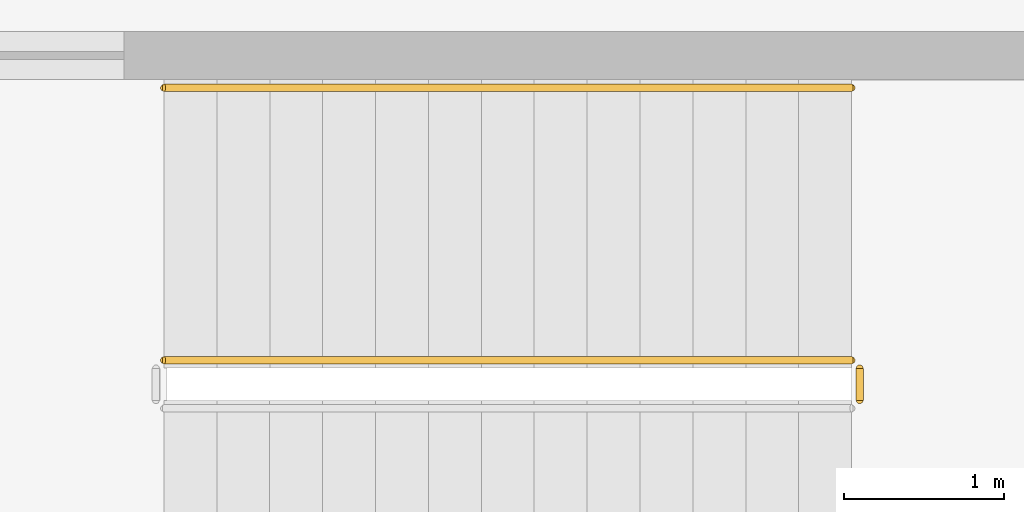
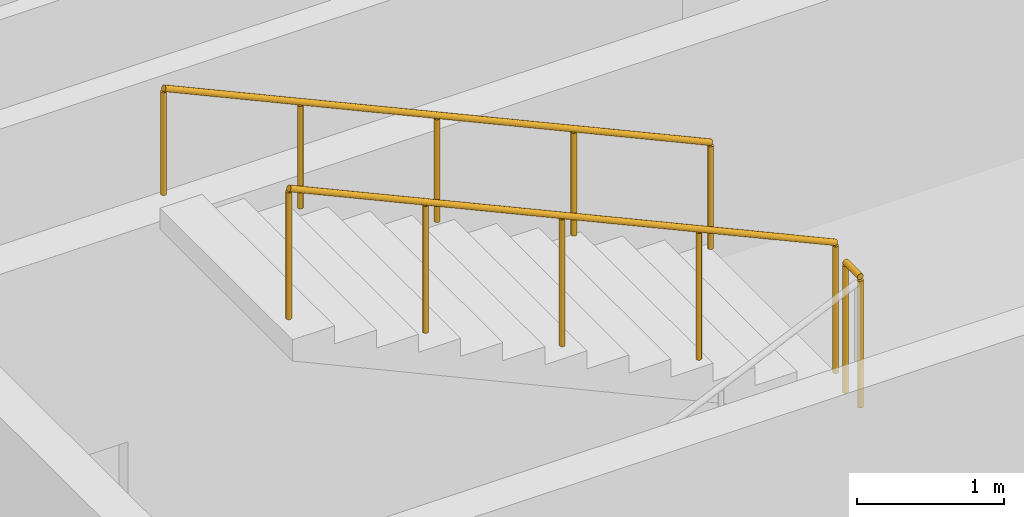
# One storey, part 87 of 90: 3 railings.
"""IFC4 building model written with IfcOpenShell, lengths in metres."""

from ifc_helpers import new_model, si_unit, direction, frame, origin, origin_2d, place, context, subcontext, project, spatial, circle, extrude, material, layer, layer_set, type_object, element, save


model = new_model("IFC4")

# Units and contexts
model_context = context("Model", 3, precision=1e-05, world=origin(), true_north=direction((0.0, 1.0)))
body_context = subcontext(model_context, "Body", "Model", "MODEL_VIEW")
ifc_project = project(units=[si_unit("LENGTHUNIT", "METRE"), si_unit("AREAUNIT", "SQUARE_METRE"), si_unit("VOLUMEUNIT", "CUBIC_METRE"), si_unit("PLANEANGLEUNIT", "RADIAN"), si_unit("MASSUNIT", "GRAM", prefix="KILO")], contexts=[model_context])

# Site, building, storey
site_placement = place(None, origin())
site = spatial("IfcSite", under=ifc_project, at=site_placement, CompositionType="ELEMENT")
building_placement = place(site_placement, origin())
building = spatial("IfcBuilding", under=site, at=building_placement, Name="Malvenik Polytechnic", CompositionType="ELEMENT")
storey_placement = place(building_placement, frame((0.0, 0.0, 9.300048828125)))
storey = spatial("IfcBuildingStorey", under=building, at=storey_placement, Name="L02", CompositionType="ELEMENT", Elevation=9.300048828125)

# Railings
ifc_material_1 = material(Name="Painted galvanised steel stair well balustrade 1100mm", Category="steel")
ifc_layer_1 = layer(ifc_material_1, 0.050048828125)
ifc_layer_set_1 = layer_set([ifc_layer_1], Name="Painted galvanised steel stair well balustrade 1100mm")
railing_type_1 = type_object("IfcRailingType", Name="ARC-RL-STGD", PredefinedType="BALUSTRADE", material=ifc_layer_set_1)
railing_1_placement = place(storey_placement, frame((15.739990234375, 120.949951171875, 2.099853515625)))
element("IfcRailing", 1, at=railing_1_placement, inside=storey, type_object=railing_type_1, Name="L02 ST-01 stair guard 2", PredefinedType="BALUSTRADE", context=body_context, shape_type="SweptSolid", body=[
    extrude(circle(Radius=0.02392578125, at=origin_2d()), frame((0.0, 0.0, 1.076171875), z_axis=(0.0, 1.0, 0.0), x_axis=(-1.0, 0.0, 0.0)), (0.0, 0.0, 1.0), 0.199951171875),
    extrude(circle(Radius=0.02099609375, at=origin_2d()), origin(), (0.0, 0.0, 1.0), 1.052001953125),
    extrude(circle(Radius=0.02099609375, at=origin_2d()), frame((0.0, 0.199951171875, 0.0)), (0.0, 0.0, 1.0), 1.052001953125),
])
railing_2_placement = place(storey_placement, frame((15.68994140625, 121.199951171875, 2.25)))
element("IfcRailing", 2, at=railing_2_placement, inside=storey, type_object=railing_type_1, Name="L02 ST-01 stair guard 3", PredefinedType="BALUSTRADE", context=body_context, shape_type="SweptSolid", body=[
    extrude(circle(Radius=0.02392578125, at=origin_2d()), frame((0.0, 0.0, 1.076171875), z_axis=(-0.910371800137, 0.0, 0.413791234219), x_axis=(0.0, -1.0, 0.0)), (0.0, 0.0, 1.0), 4.71240234375),
    extrude(circle(Radius=0.02099609375, at=origin_2d()), origin(), (0.0, 0.0, 1.0), 1.052001953125),
    extrude(circle(Radius=0.02099609375, at=origin_2d()), frame((-1.072509765625, 0.0, 0.487548828125)), (0.0, 0.0, 1.0), 1.052001953125),
    extrude(circle(Radius=0.02099609375, at=origin_2d()), frame((-2.14501953125, 0.0, 0.97509765625)), (0.0, 0.0, 1.0), 1.052001953125),
    extrude(circle(Radius=0.02099609375, at=origin_2d()), frame((-3.217529296875, 0.0, 1.46240234375)), (0.0, 0.0, 1.0), 1.052001953125),
    extrude(circle(Radius=0.02099609375, at=origin_2d()), frame((-4.2900390625, 0.0, 1.949951171875)), (0.0, 0.0, 1.0), 1.052001953125),
])
ifc_material_2 = material(Name="Brushed stainless steel 1.4301 stair wall handrail", Category="steel")
ifc_layer_2 = layer(ifc_material_2, 0.044921875)
ifc_layer_set_2 = layer_set([ifc_layer_2], Name="Brushed stainless steel 1.4301 stair wall handrail")
railing_type_2 = type_object("IfcRailingType", Name="ARC-RL-STHR", PredefinedType="HANDRAIL", material=ifc_layer_set_2)
railing_3_placement = place(storey_placement, frame((15.68994140625, 122.89990234375, 2.25)))
element("IfcRailing", 3, at=railing_3_placement, inside=storey, type_object=railing_type_2, Name="L02 ST-01 stair handrail 2", PredefinedType="HANDRAIL", context=body_context, shape_type="SweptSolid", body=[
    extrude(circle(Radius=0.02392578125, at=origin_2d()), frame((0.0, 0.0, 0.8759765625), z_axis=(-0.910371800137, 0.0, 0.413791234219), x_axis=(0.0, -1.0, 0.0)), (0.0, 0.0, 1.0), 4.71240234375),
    extrude(circle(Radius=0.02099609375, at=origin_2d()), origin(), (0.0, 0.0, 1.0), 0.851806640625),
    extrude(circle(Radius=0.02099609375, at=origin_2d()), frame((-1.072509765625, 0.0, 0.487548828125)), (0.0, 0.0, 1.0), 0.851806640625),
    extrude(circle(Radius=0.02099609375, at=origin_2d()), frame((-2.14501953125, 0.0, 0.97509765625)), (0.0, 0.0, 1.0), 0.851806640625),
    extrude(circle(Radius=0.02099609375, at=origin_2d()), frame((-3.217529296875, 0.0, 1.46240234375)), (0.0, 0.0, 1.0), 0.851806640625),
    extrude(circle(Radius=0.02099609375, at=origin_2d()), frame((-4.2900390625, 0.0, 1.949951171875)), (0.0, 0.0, 1.0), 0.851806640625),
])

save(model, "model.ifc")
